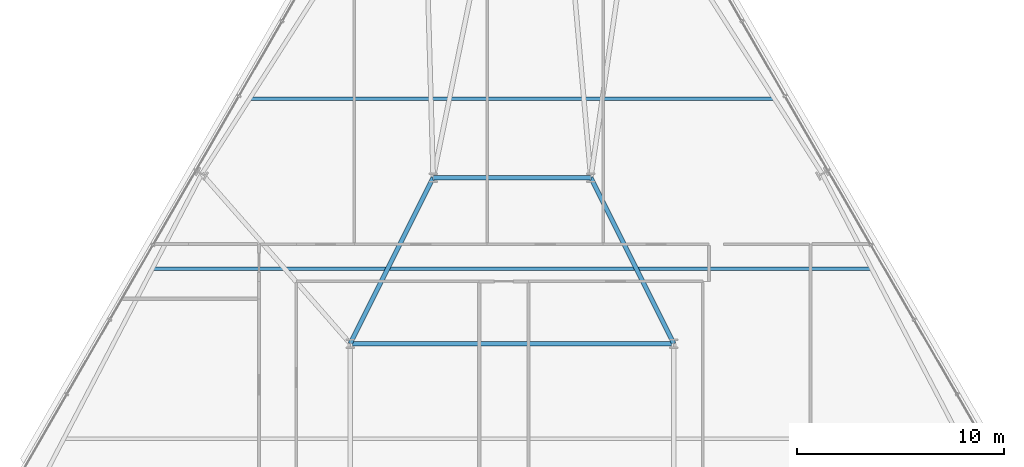
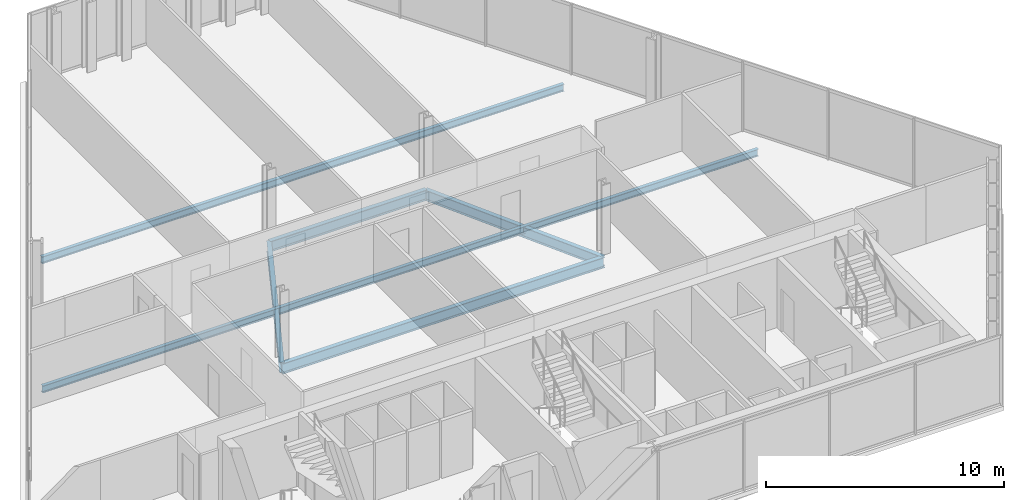
# One storey, part 16 of 32: 6 beams.
"""IFC4 building model written with IfcOpenShell, lengths in metres."""

from ifc_helpers import new_model, si_unit, direction, frame, origin, origin_2d, place, context, subcontext, project, spatial, i_section, extrude, material, material_profile, profile_set, type_object, element, save


model = new_model("IFC4")

# Units and contexts
model_context = context("Model", 3, precision=1e-05, world=origin(), true_north=direction((0.0, 1.0)))
body_context = subcontext(model_context, "Body", "Model", "MODEL_VIEW")
ifc_project = project(units=[si_unit("LENGTHUNIT", "METRE"), si_unit("AREAUNIT", "SQUARE_METRE"), si_unit("VOLUMEUNIT", "CUBIC_METRE"), si_unit("PLANEANGLEUNIT", "RADIAN"), si_unit("MASSUNIT", "GRAM", prefix="KILO")], contexts=[model_context])

# Site, building, storey
site_placement = place(None, origin())
site = spatial("IfcSite", under=ifc_project, at=site_placement, CompositionType="ELEMENT")
building_placement = place(site_placement, origin())
building = spatial("IfcBuilding", under=site, at=building_placement, Name="Ndaravel Arena Tower", CompositionType="ELEMENT")
storey_placement = place(building_placement, frame((0.0, 0.0, 93.0)))
storey = spatial("IfcBuildingStorey", under=building, at=storey_placement, Name="L21", CompositionType="ELEMENT", Elevation=93.0)

# Beams
ifc_material_1 = material(Name="Steel S355", Category="steel")
ifc_material_profile_1 = material_profile(ifc_material_1, i_section(OverallWidth=0.210693359375, OverallDepth=0.53955078125, WebThickness=0.01171875, FlangeThickness=0.018798828125, FilletRadius=0.0126953125, at=origin_2d()), Name="UB 533x210x109")
ifc_profile_set_1 = profile_set([ifc_material_profile_1], Name="Steel S355")
beam_type_1 = type_object("IfcBeamType", Name="BM-GIRD-UB533", PredefinedType="BEAM", material=ifc_profile_set_1)
beam_1_placement = place(storey_placement, frame((34.199951171875, 23.199951171875, -0.48974609375), z_axis=(1.0, 0.0, 0.0), x_axis=(0.0, 1.0, 0.0)))
element("IfcBeam", 1, at=beam_1_placement, inside=storey, type_object=beam_type_1, Name="L21 Spine Link Girder SLG-03", PredefinedType="BEAM", context=body_context, shape_type="SweptSolid", body=[
    extrude(i_section(OverallWidth=0.210693359375, OverallDepth=0.53955078125, WebThickness=0.01171875, FlangeThickness=0.018798828125, FilletRadius=0.0126953125, at=origin_2d()), origin(), (0.0, 0.0, 1.0), 15.60009765625),
])
for number, where, z_axis, x_axis, name in (
    (2, (34.199951171875, 23.199951171875, -0.48974609375), (0.4472135955, 0.894427191, 0.0), (-0.894427191, 0.4472135955, 0.0), "L21 Spine Link Girder SLG-04"),
    (3, (49.800048828125, 23.199951171875, -0.48974609375), (-0.4472135955, 0.894427191, 0.0), (-0.894427191, -0.4472135955, 0.0), "L21 Spine Link Girder SLG-05"),
):
    element("IfcBeam", number, at=place(storey_placement, frame(where, z_axis=z_axis, x_axis=x_axis)), inside=storey, type_object=beam_type_1, Name=name, PredefinedType="BEAM", context=body_context, shape_type="SweptSolid", body=[
        extrude(i_section(OverallWidth=0.210693359375, OverallDepth=0.53955078125, WebThickness=0.01171875, FlangeThickness=0.018798828125, FilletRadius=0.0126953125, at=origin_2d()), origin(), (0.0, 0.0, 1.0), 8.9443359375),
    ])
beam_2_placement = place(storey_placement, frame((38.199951171875, 31.199951171875, -0.48974609375), z_axis=(1.0, 0.0, 0.0), x_axis=(0.0, 1.0, 0.0)))
element("IfcBeam", 4, at=beam_2_placement, inside=storey, type_object=beam_type_1, Name="L21 Spine Link Girder SLG-06", PredefinedType="BEAM", context=body_context, shape_type="SweptSolid", body=[
    extrude(i_section(OverallWidth=0.210693359375, OverallDepth=0.53955078125, WebThickness=0.01171875, FlangeThickness=0.018798828125, FilletRadius=0.0126953125, at=origin_2d()), origin(), (0.0, 0.0, 1.0), 7.60009765625),
])
ifc_material_2 = material(Name="Steel S355", Category="steel")
ifc_material_profile_2 = material_profile(ifc_material_2, i_section(OverallWidth=0.169921875, OverallDepth=0.360107421875, WebThickness=0.008056640625, FlangeThickness=0.0126953125, FilletRadius=0.01806640625, at=origin_2d()), Name="IPE 360")
ifc_profile_set_2 = profile_set([ifc_material_profile_2], Name="Steel S355")
beam_type_2 = type_object("IfcBeamType", Name="BM-JOIST-IPE360", PredefinedType="JOIST", material=ifc_profile_set_2)
beam_3_placement = place(storey_placement, frame((24.65234375, 26.800048828125, -0.39990234375), z_axis=(1.0, 0.0, 0.0), x_axis=(0.0, 1.0, 0.0)))
element("IfcBeam", 5, at=beam_3_placement, inside=storey, type_object=beam_type_2, Name="L21 Composite Floor Joist FJ-02", PredefinedType="JOIST", context=body_context, shape_type="SweptSolid", body=[
    extrude(i_section(OverallWidth=0.169921875, OverallDepth=0.360107421875, WebThickness=0.008056640625, FlangeThickness=0.0126953125, FilletRadius=0.01806640625, at=origin_2d()), origin(), (0.0, 0.0, 1.0), 34.6953125),
])
beam_4_placement = place(storey_placement, frame((29.34228515625, 35.0, -0.39990234375), z_axis=(1.0, 0.0, 0.0), x_axis=(0.0, 1.0, 0.0)))
element("IfcBeam", 6, at=beam_4_placement, inside=storey, type_object=beam_type_2, Name="L21 Composite Floor Joist FJ-03", PredefinedType="JOIST", context=body_context, shape_type="SweptSolid", body=[
    extrude(i_section(OverallWidth=0.169921875, OverallDepth=0.360107421875, WebThickness=0.008056640625, FlangeThickness=0.0126953125, FilletRadius=0.01806640625, at=origin_2d()), origin(), (0.0, 0.0, 1.0), 25.315673828125),
])

save(model, "model.ifc")
